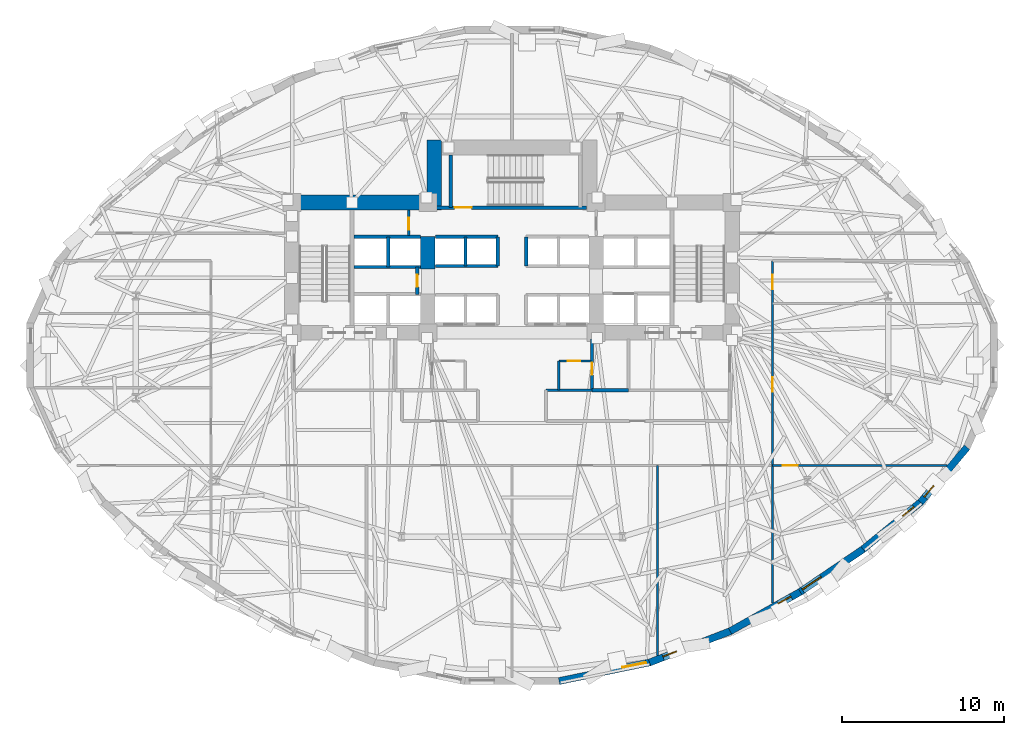
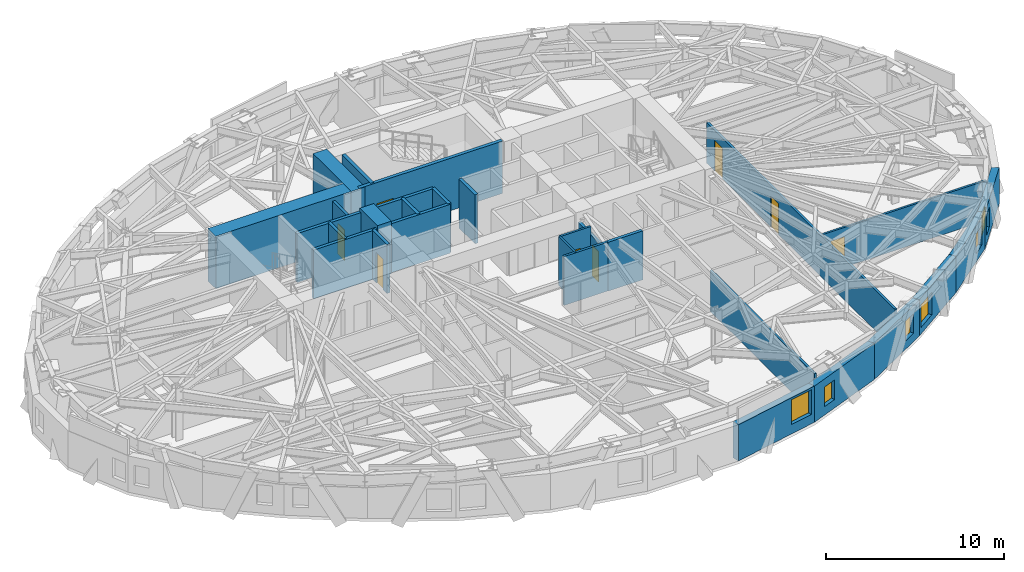
# One storey, part 8 of 14: 29 walls, 8 doors, 6 windows, 14 openings.
"""IFC4 building model written with IfcOpenShell, lengths in metres."""

from ifc_helpers import new_model, si_unit, direction, frame, frame_2d, origin, place, context, subcontext, project, spatial, rectangle, extrude, material, layer, layer_set, type_object, element, fill, save


model = new_model("IFC4")

# Units and contexts
model_context = context("Model", 3, precision=1e-05, world=origin(), true_north=direction((0.0, 1.0)))
body_context = subcontext(model_context, "Body", "Model", "MODEL_VIEW")
ifc_project = project(units=[si_unit("LENGTHUNIT", "METRE"), si_unit("AREAUNIT", "SQUARE_METRE"), si_unit("VOLUMEUNIT", "CUBIC_METRE"), si_unit("PLANEANGLEUNIT", "RADIAN"), si_unit("MASSUNIT", "GRAM", prefix="KILO")], contexts=[model_context])

# Site, building, storey
site_placement = place(None, origin())
site = spatial("IfcSite", under=ifc_project, at=site_placement, CompositionType="ELEMENT")
building_placement = place(site_placement, origin())
building = spatial("IfcBuilding", under=site, at=building_placement, Name="Keldmark Tower", CompositionType="ELEMENT")
storey_placement = place(building_placement, frame((0.0, 0.0, 73.800048828125)))
storey = spatial("IfcBuildingStorey", under=building, at=storey_placement, Name="L19", CompositionType="ELEMENT", Elevation=73.800048828125)

# Wall, openings, doors
ifc_material_1 = material(Name="Acoustic Double-Layer Gypsum Corridor Partition", Category="gypsum")
ifc_layer_1 = layer(ifc_material_1, 0.139892578125)
ifc_layer_set_1 = layer_set([ifc_layer_1], Name="Acoustic Double-Layer Gypsum Corridor Partition")
wall_type_1 = type_object("IfcWallType", Name="Acoustic Corridor Partition 140 mm", PredefinedType="PARTITIONING", material=ifc_layer_set_1)
wall_1_placement = place(storey_placement, frame((16.10009765625, -15.317626953125, 0.0), z_axis=(0.0, 0.0, 1.0), x_axis=(0.0, 1.0, 0.0)))
wall_1 = element("IfcWall", 1, at=wall_1_placement, inside=storey, type_object=wall_type_1, Name="L19 Acoustic Corridor Partition 140 mm COR-E", PredefinedType="PARTITIONING", context=body_context, shape_type="SweptSolid", body=[
    extrude(rectangle(XDim=21.167724609375, YDim=0.139892578125, at=frame_2d((10.583984375, 0.0))), origin(), (0.0, 0.0, 1.0), 2.801025390625),
])
opening_1_placement = place(wall_1_placement, frame((13.06787109375, 0.0, 0.0)))
opening_1 = element("IfcOpeningElement", 2, at=opening_1_placement, cuts=wall_1, Name="Opening D-IN090", PredefinedType="OPENING", context=body_context, shape_type="SweptSolid", body=[
    extrude(rectangle(XDim=0.89990234375, YDim=2.10009765625, at=frame_2d((0.449951171875, 1.050048828125))), frame((0.0, 0.079833984375, 0.0), z_axis=(0.0, -1.0, 0.0), x_axis=(1.0, 0.0, 0.0)), (0.0, 0.0, 1.0), 0.159912109375),
])
opening_2_placement = place(wall_1_placement, frame((19.392822265625, 0.0, 0.0)))
opening_2 = element("IfcOpeningElement", 3, at=opening_2_placement, cuts=wall_1, Name="Opening D-IN090", PredefinedType="OPENING", context=body_context, shape_type="SweptSolid", body=[
    extrude(rectangle(XDim=0.89990234375, YDim=2.10009765625, at=frame_2d((0.449951171875, 1.050048828125))), frame((0.0, 0.079833984375, 0.0), z_axis=(0.0, -1.0, 0.0), x_axis=(1.0, 0.0, 0.0)), (0.0, 0.0, 1.0), 0.159912109375),
])
ifc_material_2 = material(Name="Stained American White Oak Veneer", Category="wood")
door_type_1 = type_object("IfcDoorType", Name="Interior Door 900x2100", OperationType="NOTDEFINED", PredefinedType="DOOR", material=ifc_material_2)
door_1_placement = place(opening_1_placement, origin())
door_1 = element("IfcDoor", 4, at=door_1_placement, inside=storey, type_object=door_type_1, Name="L19 Interior Door 900x2100 D-ER-1-L19", OperationType="SINGLE_SWING_RIGHT", OverallHeight=2.10009765625, OverallWidth=0.89990234375, PredefinedType="DOOR", context=body_context, shape_type="SweptSolid", body=[
    extrude(rectangle(XDim=0.89990234375, YDim=2.10009765625, at=frame_2d((0.449951171875, 1.050048828125))), frame((0.0, 0.02490234375, 0.0), z_axis=(0.0, -1.0, 0.0), x_axis=(1.0, 0.0, 0.0)), (0.0, 0.0, 1.0), 0.050048828125),
])
fill(opening_1, door_1)
door_2_placement = place(opening_2_placement, origin())
door_2 = element("IfcDoor", 5, at=door_2_placement, inside=storey, type_object=door_type_1, Name="L19 Interior Door 900x2100 D-ER-2-L19", OperationType="SINGLE_SWING_RIGHT", OverallHeight=2.10009765625, OverallWidth=0.89990234375, PredefinedType="DOOR", context=body_context, shape_type="SweptSolid", body=[
    extrude(rectangle(XDim=0.89990234375, YDim=2.10009765625, at=frame_2d((0.449951171875, 1.050048828125))), frame((0.0, 0.02490234375, 0.0), z_axis=(0.0, -1.0, 0.0), x_axis=(1.0, 0.0, 0.0)), (0.0, 0.0, 1.0), 0.050048828125),
])
fill(opening_2, door_2)

# Wall, opening, door
ifc_material_3 = material(Name="Acoustic Gypsum Board Interior Partition", Category="gypsum")
ifc_layer_2 = layer(ifc_material_3, 0.1298828125)
ifc_layer_set_2 = layer_set([ifc_layer_2], Name="Acoustic Gypsum Board Interior Partition")
wall_type_2 = type_object("IfcWallType", Name="Interior Partition 130 mm", PredefinedType="PARTITIONING", material=ifc_layer_set_2)
wall_2_placement = place(storey_placement, frame((2.889892578125, -0.35009765625, 0.0), z_axis=(0.0, 0.0, 1.0), x_axis=(1.0, 0.0, 0.0)))
wall_2 = element("IfcWall", 6, at=wall_2_placement, inside=storey, type_object=wall_type_2, Name="L19 Interior Partition 130 mm CSC-E-N", PredefinedType="PARTITIONING", context=body_context, shape_type="SweptSolid", body=[
    extrude(rectangle(XDim=1.989990234375, YDim=0.1298828125, at=frame_2d((0.9951171875, 0.0))), origin(), (0.0, 0.0, 1.0), 3.35986328125),
])
opening_3_placement = place(wall_2_placement, frame((0.550048828125, 0.0, 0.0)))
opening_3 = element("IfcOpeningElement", 7, at=opening_3_placement, cuts=wall_2, Name="Opening D-CL078", PredefinedType="OPENING", context=body_context, shape_type="SweptSolid", body=[
    extrude(rectangle(XDim=0.780029296875, YDim=2.10009765625, at=frame_2d((0.39013671875, 1.050048828125))), frame((0.0, 0.074951171875, 0.0), z_axis=(0.0, -1.0, 0.0), x_axis=(1.0, 0.0, 0.0)), (0.0, 0.0, 1.0), 0.14990234375),
])
ifc_material_4 = material(Name="Flush Utility Closet Timber Door", Category="wood")
door_type_2 = type_object("IfcDoorType", Name="Closet Door 780x2100", OperationType="NOTDEFINED", PredefinedType="DOOR", material=ifc_material_4)
door_3_placement = place(opening_3_placement, origin())
door_3 = element("IfcDoor", 8, at=door_3_placement, inside=storey, type_object=door_type_2, Name="L19 Closet Door 780x2100 D-CSCE1-L19", OperationType="SINGLE_SWING_RIGHT", OverallHeight=2.10009765625, OverallWidth=0.780029296875, PredefinedType="DOOR", context=body_context, shape_type="SweptSolid", body=[
    extrude(rectangle(XDim=0.780029296875, YDim=2.10009765625, at=frame_2d((0.39013671875, 1.050048828125))), frame((0.0, 0.02490234375, 0.0), z_axis=(0.0, -1.0, 0.0), x_axis=(1.0, 0.0, 0.0)), (0.0, 0.0, 1.0), 0.050048828125),
])
fill(opening_3, door_3)

# Walls
wall_3_placement = place(storey_placement, frame((2.889892578125, -2.14990234375, 0.0), z_axis=(0.0, 0.0, 1.0), x_axis=(0.0, 1.0, 0.0)))
element("IfcWall", 9, at=wall_3_placement, inside=storey, type_object=wall_type_2, Name="L19 Interior Partition 130 mm CSC-E-W", PredefinedType="PARTITIONING", context=body_context, shape_type="SweptSolid", body=[
    extrude(rectangle(XDim=1.7998046875, YDim=0.1298828125, at=frame_2d((0.89990234375, 0.0))), origin(), (0.0, 0.0, 1.0), 3.35986328125),
])
wall_4_placement = place(storey_placement, frame((9.0, -18.544921875, 0.0), z_axis=(0.0, 0.0, 1.0), x_axis=(0.0, 1.0, 0.0)))
element("IfcWall", 10, at=wall_4_placement, inside=storey, type_object=wall_type_2, Name="L19 Interior Partition 130 mm S-DIV-3", PredefinedType="PARTITIONING", context=body_context, shape_type="SweptSolid", body=[
    extrude(rectangle(XDim=11.744873046875, YDim=0.1298828125, at=frame_2d((5.87255859375, 0.0))), origin(), (0.0, 0.0, 1.0), 2.81298828125),
])

# Wall, opening, door
wall_5_placement = place(storey_placement, frame((16.10009765625, -6.800048828125, 0.0), z_axis=(0.0, 0.0, 1.0), x_axis=(1.0, 0.0, 0.0)))
wall_5 = element("IfcWall", 11, at=wall_5_placement, inside=storey, type_object=wall_type_2, Name="L19 Interior Partition 130 mm E-CAP-S", PredefinedType="PARTITIONING", context=body_context, shape_type="SweptSolid", body=[
    extrude(rectangle(XDim=10.781494140625, YDim=0.1298828125, at=frame_2d((5.390625, 0.0))), origin(), (0.0, 0.0, 1.0), 2.739013671875),
])
opening_4_placement = place(wall_5_placement, frame((0.64990234375, 0.0, 0.0)))
opening_4 = element("IfcOpeningElement", 12, at=opening_4_placement, cuts=wall_5, Name="Opening D-IN090", PredefinedType="OPENING", context=body_context, shape_type="SweptSolid", body=[
    extrude(rectangle(XDim=0.89990234375, YDim=2.10009765625, at=frame_2d((0.449951171875, 1.050048828125))), frame((0.0, 0.074951171875, 0.0), z_axis=(0.0, -1.0, 0.0), x_axis=(1.0, 0.0, 0.0)), (0.0, 0.0, 1.0), 0.14990234375),
])
door_4_placement = place(opening_4_placement, origin())
door_4 = element("IfcDoor", 13, at=door_4_placement, inside=storey, type_object=door_type_1, Name="L19 Interior Door 900x2100 D-ERSE-L19", OperationType="SINGLE_SWING_LEFT", OverallHeight=2.10009765625, OverallWidth=0.89990234375, PredefinedType="DOOR", context=body_context, shape_type="SweptSolid", body=[
    extrude(rectangle(XDim=0.89990234375, YDim=2.10009765625, at=frame_2d((0.449951171875, 1.050048828125))), frame((0.0, 0.02490234375, 0.0), z_axis=(0.0, -1.0, 0.0), x_axis=(1.0, 0.0, 0.0)), (0.0, 0.0, 1.0), 0.050048828125),
])
fill(opening_4, door_4)

# Walls
ifc_material_5 = material(Name="Concrete C70/85", Category="concrete")
ifc_layer_3 = layer(ifc_material_5, 0.89990234375)
ifc_layer_set_3 = layer_set([ifc_layer_3], Name="Concrete C70/85")
wall_type_3 = type_object("IfcWallType", Name="Lower Core Shear Wall 900 mm", PredefinedType="SHEAR", material=ifc_layer_set_3)
wall_6_placement = place(storey_placement, frame((-14.050048828125, 9.449951171875, 0.0), z_axis=(0.0, 0.0, 1.0), x_axis=(1.0, 0.0, 0.0)))
element("IfcWall", 14, at=wall_6_placement, inside=storey, type_object=wall_type_3, Name="L19 West Core North Shear Wall", PredefinedType="SHEAR", context=body_context, shape_type="SweptSolid", body=[
    extrude(rectangle(XDim=9.699951171875, YDim=0.89990234375, at=frame_2d((4.85009765625, 0.0))), origin(), (0.0, 0.0, 1.0), 3.599853515625),
])
wall_7_placement = place(storey_placement, frame((-5.199951171875, 5.35009765625, 0.0), z_axis=(0.0, 0.0, 1.0), x_axis=(0.0, 1.0, 0.0)))
element("IfcWall", 15, at=wall_7_placement, inside=storey, type_object=wall_type_3, Name="L19 West Core Inner Shear Pier North", PredefinedType="SHEAR", context=body_context, shape_type="SweptSolid", body=[
    extrude(rectangle(XDim=2.0, YDim=0.89990234375, at=frame_2d((1.0, 0.0))), origin(), (0.0, 0.0, 1.0), 3.599853515625),
])
wall_8_placement = place(storey_placement, frame((-4.800048828125, 9.0, 0.0), z_axis=(0.0, 0.0, 1.0), x_axis=(0.0, 1.0, 0.0)))
element("IfcWall", 16, at=wall_8_placement, inside=storey, type_object=wall_type_3, Name="L19 North Core West Shear Wall", PredefinedType="SHEAR", context=body_context, shape_type="SweptSolid", body=[
    extrude(rectangle(XDim=4.300048828125, YDim=0.89990234375, at=frame_2d((2.14990234375, 0.0))), origin(), (0.0, 0.0, 1.0), 3.599853515625),
])

# Wall, opening, door
ifc_material_6 = material(Name="Type X Fire-Rated Gypsum Partition Assembly", Category="gypsum")
ifc_layer_4 = layer(ifc_material_6, 0.1650390625)
ifc_layer_set_4 = layer_set([ifc_layer_4], Name="Type X Fire-Rated Gypsum Partition Assembly")
wall_type_4 = type_object("IfcWallType", Name="Rated Partition 165 mm", PredefinedType="PARTITIONING", material=ifc_layer_set_4)
wall_9_placement = place(storey_placement, frame((-6.3798828125, 7.419921875, 0.0), z_axis=(0.0, 0.0, 1.0), x_axis=(0.0, 1.0, 0.0)))
wall_9 = element("IfcWall", 17, at=wall_9_placement, inside=storey, type_object=wall_type_4, Name="L19 Rated Partition 165 mm CS-NW-E", PredefinedType="PARTITIONING", context=body_context, shape_type="SweptSolid", body=[
    extrude(rectangle(XDim=1.580078125, YDim=0.1650390625, at=frame_2d((0.7900390625, 0.0))), origin(), (0.0, 0.0, 1.0), 3.35986328125),
])
opening_5_placement = place(wall_9_placement, frame((0.35009765625, 0.0, 0.0)))
opening_5 = element("IfcOpeningElement", 18, at=opening_5_placement, cuts=wall_9, Name="Opening D-RS075", PredefinedType="OPENING", context=body_context, shape_type="SweptSolid", body=[
    extrude(rectangle(XDim=0.75, YDim=2.10009765625, at=frame_2d((0.375, 1.050048828125))), frame((0.0, 0.092529296875, 0.0), z_axis=(0.0, -1.0, 0.0), x_axis=(1.0, 0.0, 0.0)), (0.0, 0.0, 1.0), 0.18505859375),
])
ifc_material_7 = material(Name="Galvanized Fire-Rated Access Leaf", Category="metal")
door_type_3 = type_object("IfcDoorType", Name="Riser Access Door 750x2100", OperationType="NOTDEFINED", PredefinedType="DOOR", material=ifc_material_7)
door_5_placement = place(opening_5_placement, origin())
door_5 = element("IfcDoor", 19, at=door_5_placement, inside=storey, type_object=door_type_3, Name="L19 Riser Access Door 750x2100 D-CSNW1-L19", OperationType="SINGLE_SWING_RIGHT", OverallHeight=2.10009765625, OverallWidth=0.75, PredefinedType="DOOR", context=body_context, shape_type="SweptSolid", body=[
    extrude(rectangle(XDim=0.75, YDim=2.10009765625, at=frame_2d((0.375, 1.050048828125))), frame((0.0, 0.02490234375, 0.0), z_axis=(0.0, -1.0, 0.0), x_axis=(1.0, 0.0, 0.0)), (0.0, 0.0, 1.0), 0.050048828125),
])
fill(opening_5, door_5)

# Wall
ifc_material_8 = material(Name="Fire-Resistant Type X Gypsum Shaftliner Coreboard", Category="gypsum")
ifc_layer_5 = layer(ifc_material_8, 0.199951171875)
ifc_layer_set_5 = layer_set([ifc_layer_5], Name="Fire-Resistant Type X Gypsum Shaftliner Coreboard")
wall_type_5 = type_object("IfcWallType", Name="Shaft Wall 200 mm", PredefinedType="SOLIDWALL", material=ifc_layer_set_5)
wall_10_placement = place(storey_placement, frame((4.949951171875, -2.14990234375, 0.0), z_axis=(0.0, 0.0, 1.0), x_axis=(1.0, 0.0, 0.0)))
element("IfcWall", 20, at=wall_10_placement, inside=storey, type_object=wall_type_5, Name="L19 Shaft Wall 200 mm RIS-SE-S", PredefinedType="SOLIDWALL", context=body_context, shape_type="SweptSolid", body=[
    extrude(rectangle(XDim=2.25, YDim=0.199951171875, at=frame_2d((1.125, 0.0))), origin(), (0.0, 0.0, 1.0), 3.35986328125),
])

# Wall, opening, door
wall_11_placement = place(storey_placement, frame((4.949951171875, -2.14990234375, 0.0), z_axis=(0.0, 0.0, 1.0), x_axis=(0.0, 1.0, 0.0)))
wall_11 = element("IfcWall", 21, at=wall_11_placement, inside=storey, type_object=wall_type_5, Name="L19 Shaft Wall 200 mm RIS-SE-W", PredefinedType="SOLIDWALL", context=body_context, shape_type="SweptSolid", body=[
    extrude(rectangle(XDim=3.14990234375, YDim=0.199951171875, at=frame_2d((1.574951171875, 0.0))), origin(), (0.0, 0.0, 1.0), 2.81298828125),
])
opening_6_placement = place(wall_11_placement, frame((0.949951171875, 0.0, 0.0)))
opening_6 = element("IfcOpeningElement", 22, at=opening_6_placement, cuts=wall_11, Name="Opening D-RS075", PredefinedType="OPENING", context=body_context, shape_type="SweptSolid", body=[
    extrude(rectangle(XDim=0.75, YDim=2.10009765625, at=frame_2d((0.375, 1.050048828125))), frame((0.0, 0.10986328125, 0.0), z_axis=(0.0, -1.0, 0.0), x_axis=(1.0, 0.0, 0.0)), (0.0, 0.0, 1.0), 0.219970703125),
])
door_6_placement = place(opening_6_placement, origin())
door_6 = element("IfcDoor", 23, at=door_6_placement, inside=storey, type_object=door_type_3, Name="L19 Riser Access Door 750x2100 D-RISSE-L19", OperationType="SINGLE_SWING_LEFT", OverallHeight=2.10009765625, OverallWidth=0.75, PredefinedType="DOOR", context=body_context, shape_type="SweptSolid", body=[
    extrude(rectangle(XDim=0.75, YDim=2.10009765625, at=frame_2d((0.375, 1.050048828125))), frame((0.0, 0.02490234375, 0.0), z_axis=(0.0, -1.0, 0.0), x_axis=(1.0, 0.0, 0.0)), (0.0, 0.0, 1.0), 0.050048828125),
])
fill(opening_6, door_6)

# Walls
for number, where, z_axis, x_axis, name in (
    (24, (-9.780029296875, 5.469970703125, 0.0), (0.0, 0.0, 1.0), (1.0, 0.0, 0.0), "L19 Shaft Wall 200 mm HW-W-N"),
    (25, (-9.780029296875, 7.330078125, 0.0), (0.0, 0.0, 1.0), (1.0, 0.0, 0.0), "L19 Shaft Wall 200 mm HW-W-TOP"),
):
    element("IfcWall", number, at=place(storey_placement, frame(where, z_axis=z_axis, x_axis=x_axis)), inside=storey, type_object=wall_type_5, Name=name, PredefinedType="SOLIDWALL", context=body_context, shape_type="SweptSolid", body=[
        extrude(rectangle(XDim=4.130126953125, YDim=0.199951171875, at=frame_2d((2.06494140625, 0.0))), origin(), (0.0, 0.0, 1.0), 3.35986328125),
    ])
wall_12_placement = place(storey_placement, frame((-7.64990234375, 5.469970703125, 0.0), z_axis=(0.0, 0.0, 1.0), x_axis=(0.0, 1.0, 0.0)))
element("IfcWall", 26, at=wall_12_placement, inside=storey, type_object=wall_type_5, Name="L19 Shaft Wall 200 mm HW-W-NM", PredefinedType="SOLIDWALL", context=body_context, shape_type="SweptSolid", body=[
    extrude(rectangle(XDim=1.860107421875, YDim=0.199951171875, at=frame_2d((0.93017578125, 0.0))), origin(), (0.0, 0.0, 1.0), 3.35986328125),
])

# Wall, opening, door
wall_13_placement = place(storey_placement, frame((-5.85009765625, 3.780029296875, 0.0), z_axis=(0.0, 0.0, 1.0), x_axis=(0.0, 1.0, 0.0)))
wall_13 = element("IfcWall", 27, at=wall_13_placement, inside=storey, type_object=wall_type_5, Name="L19 Shaft Wall 200 mm HW-W-CLOSE", PredefinedType="SOLIDWALL", context=body_context, shape_type="SweptSolid", body=[
    extrude(rectangle(XDim=1.68994140625, YDim=0.199951171875, at=frame_2d((0.844970703125, 0.0))), origin(), (0.0, 0.0, 1.0), 3.35986328125),
])
opening_7_placement = place(wall_13_placement, frame((0.449951171875, 0.0, 0.0)))
opening_7 = element("IfcOpeningElement", 28, at=opening_7_placement, cuts=wall_13, Name="Opening D-RS075", PredefinedType="OPENING", context=body_context, shape_type="SweptSolid", body=[
    extrude(rectangle(XDim=0.75, YDim=2.10009765625, at=frame_2d((0.375, 1.050048828125))), frame((0.0, 0.10986328125, 0.0), z_axis=(0.0, -1.0, 0.0), x_axis=(1.0, 0.0, 0.0)), (0.0, 0.0, 1.0), 0.219970703125),
])
door_7_placement = place(opening_7_placement, origin())
door_7 = element("IfcDoor", 29, at=door_7_placement, inside=storey, type_object=door_type_3, Name="L19 Riser Access Door 750x2100 D-RISHW-L19", OperationType="SINGLE_SWING_RIGHT", OverallHeight=2.10009765625, OverallWidth=0.75, PredefinedType="DOOR", context=body_context, shape_type="SweptSolid", body=[
    extrude(rectangle(XDim=0.75, YDim=2.10009765625, at=frame_2d((0.375, 1.050048828125))), frame((0.0, 0.02490234375, 0.0), z_axis=(0.0, -1.0, 0.0), x_axis=(1.0, 0.0, 0.0)), (0.0, 0.0, 1.0), 0.050048828125),
])
fill(opening_7, door_7)

# Walls
for number, where, z_axis, x_axis, name in (
    (30, (-4.739990234375, 5.52001953125, 0.0), (0.0, 0.0, 1.0), (1.0, 0.0, 0.0), "L19 Shaft Wall 200 mm MID-S-W"),
    (31, (-4.739990234375, 7.330078125, 0.0), (0.0, 0.0, 1.0), (1.0, 0.0, 0.0), "L19 Shaft Wall 200 mm MID-N-W"),
):
    element("IfcWall", number, at=place(storey_placement, frame(where, z_axis=z_axis, x_axis=x_axis)), inside=storey, type_object=wall_type_5, Name=name, PredefinedType="SOLIDWALL", context=body_context, shape_type="SweptSolid", body=[
        extrude(rectangle(XDim=3.860107421875, YDim=0.199951171875, at=frame_2d((1.93017578125, 0.0))), origin(), (0.0, 0.0, 1.0), 3.35986328125),
    ])
for number, where, z_axis, x_axis, name in (
    (32, (-2.8798828125, 5.52001953125, 0.0), (0.0, 0.0, 1.0), (0.0, 1.0, 0.0), "L19 Shaft Wall 200 mm MID-M-W"),
    (33, (-0.8798828125, 5.52001953125, 0.0), (0.0, 0.0, 1.0), (0.0, 1.0, 0.0), "L19 Shaft Wall 200 mm MID-C-W"),
    (34, (0.8798828125, 5.52001953125, 0.0), (0.0, 0.0, 1.0), (0.0, 1.0, 0.0), "L19 Shaft Wall 200 mm MID-C-E"),
):
    element("IfcWall", number, at=place(storey_placement, frame(where, z_axis=z_axis, x_axis=x_axis)), inside=storey, type_object=wall_type_5, Name=name, PredefinedType="SOLIDWALL", context=body_context, shape_type="SweptSolid", body=[
        extrude(rectangle(XDim=1.81005859375, YDim=0.199951171875, at=frame_2d((0.905029296875, 0.0))), origin(), (0.0, 0.0, 1.0), 3.35986328125),
    ])

# Wall, opening, door
ifc_material_9 = material(Name="Concrete C50/60", Category="concrete")
ifc_layer_6 = layer(ifc_material_9, 0.219970703125)
ifc_layer_set_6 = layer_set([ifc_layer_6], Name="Concrete C50/60")
wall_type_6 = type_object("IfcWallType", Name="Stair Core Shear Wall 220 mm", PredefinedType="SHEAR", material=ifc_layer_set_6)
wall_14_placement = place(storey_placement, frame((-4.699951171875, 9.139892578125, 0.0), z_axis=(0.0, 0.0, 1.0), x_axis=(1.0, 0.0, 0.0)))
wall_14 = element("IfcWall", 35, at=wall_14_placement, inside=storey, type_object=wall_type_6, Name="L19 Central Stair Core South Shear Wall", PredefinedType="SHEAR", context=body_context, shape_type="SweptSolid", body=[
    extrude(rectangle(XDim=9.300048828125, YDim=0.219970703125, at=frame_2d((4.64990234375, 0.0))), origin(), (0.0, 0.0, 1.0), 3.599853515625),
])
opening_8_placement = place(wall_14_placement, frame((1.14990234375, 0.0, 0.0)))
opening_8 = element("IfcOpeningElement", 36, at=opening_8_placement, cuts=wall_14, Name="Opening D-ST105", PredefinedType="OPENING", context=body_context, shape_type="SweptSolid", body=[
    extrude(rectangle(XDim=1.050048828125, YDim=2.14990234375, at=frame_2d((0.52490234375, 1.074951171875))), frame((0.0, 0.119873046875, 0.0), z_axis=(0.0, -1.0, 0.0), x_axis=(1.0, 0.0, 0.0)), (0.0, 0.0, 1.0), 0.239990234375),
])
ifc_material_10 = material(Name="Hollow Metal Fire-Rated Door Assembly", Category="metal")
door_type_4 = type_object("IfcDoorType", Name="Stair Fire Door 1050x2150", OperationType="NOTDEFINED", PredefinedType="DOOR", material=ifc_material_10)
door_8_placement = place(opening_8_placement, origin())
door_8 = element("IfcDoor", 37, at=door_8_placement, inside=storey, type_object=door_type_4, Name="L19 Stair Fire Door 1050x2150 D-ST3-L19", OperationType="SINGLE_SWING_RIGHT", OverallHeight=2.14990234375, OverallWidth=1.050048828125, PredefinedType="DOOR", context=body_context, shape_type="SweptSolid", body=[
    extrude(rectangle(XDim=1.050048828125, YDim=2.14990234375, at=frame_2d((0.52490234375, 1.074951171875))), frame((0.0, 0.02490234375, 0.0), z_axis=(0.0, -1.0, 0.0), x_axis=(1.0, 0.0, 0.0)), (0.0, 0.0, 1.0), 0.050048828125),
])
fill(opening_8, door_8)

# Wall
wall_15_placement = place(storey_placement, frame((-3.784912109375, 9.139892578125, 0.0), z_axis=(0.0, 0.0, 1.0), x_axis=(0.0, 1.0, 0.0)))
element("IfcWall", 38, at=wall_15_placement, inside=storey, type_object=wall_type_6, Name="L19 Central Stair Core West Shear Wall", PredefinedType="SHEAR", context=body_context, shape_type="SweptSolid", body=[
    extrude(rectangle(XDim=3.260009765625, YDim=0.219970703125, at=frame_2d((1.6298828125, 0.0))), origin(), (0.0, 0.0, 1.0), 3.599853515625),
])

# Wall, opening, window
ifc_material_11 = material(Name="Ironspot Manganese Brick and Kasota Buff Limestone Spandrel Assembly", Category="masonry")
ifc_layer_7 = layer(ifc_material_11, 0.43994140625)
ifc_layer_set_7 = layer_set([ifc_layer_7], Name="Ironspot Manganese Brick and Kasota Buff Limestone Spandrel Assembly")
wall_type_7 = type_object("IfcWallType", Name="Tower Brick Pier and Spandrel Wall 440 mm", PredefinedType="STANDARD", material=ifc_layer_set_7)
wall_16_placement = place(storey_placement, frame((8.539306640625, -18.971923828125, 0.0), z_axis=(0.0, 0.0, 1.0), x_axis=(-0.979485663347, -0.201513858821, 0.0)))
wall_16 = element("IfcWall", 39, at=wall_16_placement, inside=storey, type_object=wall_type_7, Name="L19 Exterior Brick and Spandrel Wall 25", PredefinedType="STANDARD", context=body_context, shape_type="SweptSolid", body=[
    extrude(rectangle(XDim=5.746337890625, YDim=0.43994140625, at=frame_2d((2.873046875, 0.0))), origin(), (0.0, 0.0, 1.0), 2.489013671875),
])
opening_9_placement = place(wall_16_placement, frame((0.25, 0.0, 0.64990234375)))
opening_9 = element("IfcOpeningElement", 40, at=opening_9_placement, cuts=wall_16, Name="Opening W-03", PredefinedType="OPENING", context=body_context, shape_type="SweptSolid", body=[
    extrude(rectangle(XDim=1.5, YDim=1.699951171875, at=frame_2d((0.75, 0.85009765625))), frame((0.0, 0.22998046875, 0.0), z_axis=(0.0, -1.0, 0.0), x_axis=(1.0, 0.0, 0.0)), (0.0, 0.0, 1.0), 0.4599609375),
])
ifc_material_12 = material(Name="Thermally Broken Anodized Aluminum and Triple Low-E Argon Glazing", Category="aluminium")
window_type_1 = type_object("IfcWindowType", Name="Office Corner Deep-Set Window 1500x1700", PartitioningType="DOUBLE_PANEL_VERTICAL", PredefinedType="WINDOW", material=ifc_material_12)
window_1_placement = place(opening_9_placement, origin())
window_1 = element("IfcWindow", 41, at=window_1_placement, inside=storey, type_object=window_type_1, Name="L19 Deep-Set Window 25", OverallHeight=1.699951171875, OverallWidth=1.5, PartitioningType="SINGLE_PANEL", PredefinedType="WINDOW", context=body_context, shape_type="SweptSolid", body=[
    extrude(rectangle(XDim=1.5, YDim=1.699951171875, at=frame_2d((0.75, 0.85009765625))), frame((0.0, -0.010009765625, 0.0), z_axis=(0.0, -1.0, 0.0), x_axis=(1.0, 0.0, 0.0)), (0.0, 0.0, 1.0), 0.06005859375),
])
fill(opening_9, window_1)

wall_17_placement = place(storey_placement, frame((13.5107421875, -17.035888671875, 0.0), z_axis=(0.0, 0.0, 1.0), x_axis=(-0.932040489001, -0.362354145641, 0.0)))
wall_17 = element("IfcWall", 42, at=wall_17_placement, inside=storey, type_object=wall_type_7, Name="L19 Exterior Brick and Spandrel Wall 26", PredefinedType="STANDARD", context=body_context, shape_type="SweptSolid", body=[
    extrude(rectangle(XDim=5.371826171875, YDim=0.43994140625, at=frame_2d((2.68603515625, 0.0))), origin(), (0.0, 0.0, 1.0), 2.489013671875),
])
opening_10_placement = place(wall_17_placement, frame((3.57666015625, 0.0, 0.580078125)))
opening_10 = element("IfcOpeningElement", 43, at=opening_10_placement, cuts=wall_17, Name="Opening W-09", PredefinedType="OPENING", context=body_context, shape_type="SweptSolid", body=[
    extrude(rectangle(XDim=0.89990234375, YDim=1.35009765625, at=frame_2d((0.449951171875, 0.675048828125))), frame((0.0, 0.22998046875, 0.0), z_axis=(0.0, -1.0, 0.0), x_axis=(1.0, 0.0, 0.0)), (0.0, 0.0, 1.0), 0.4599609375),
])
ifc_material_13 = material(Name="Thermally Broken Anodized Aluminum and Triple Low-E Argon Glazing", Category="aluminium")
window_type_2 = type_object("IfcWindowType", Name="Corner Pier Deep-Set Window 900x1350", PartitioningType="SINGLE_PANEL", PredefinedType="WINDOW", material=ifc_material_13)
window_2_placement = place(opening_10_placement, origin())
window_2 = element("IfcWindow", 44, at=window_2_placement, inside=storey, type_object=window_type_2, Name="L19 Deep-Set Window 26", OverallHeight=1.35009765625, OverallWidth=0.89990234375, PartitioningType="SINGLE_PANEL", PredefinedType="WINDOW", context=body_context, shape_type="SweptSolid", body=[
    extrude(rectangle(XDim=0.89990234375, YDim=1.35009765625, at=frame_2d((0.449951171875, 0.675048828125))), frame((0.0, -0.010009765625, 0.0), z_axis=(0.0, -1.0, 0.0), x_axis=(1.0, 0.0, 0.0)), (0.0, 0.0, 1.0), 0.06005859375),
])
fill(opening_10, window_2)

wall_18_placement = place(storey_placement, frame((17.814208984375, -14.6162109375, 0.0), z_axis=(0.0, 0.0, 1.0), x_axis=(-0.871887714573, -0.489705843519, 0.0)))
wall_18 = element("IfcWall", 45, at=wall_18_placement, inside=storey, type_object=wall_type_7, Name="L19 Exterior Brick and Spandrel Wall 27", PredefinedType="STANDARD", context=body_context, shape_type="SweptSolid", body=[
    extrude(rectangle(XDim=4.968017578125, YDim=0.43994140625, at=frame_2d((2.48388671875, 0.0))), origin(), (0.0, 0.0, 1.0), 2.489013671875),
])
opening_11_placement = place(wall_18_placement, frame((0.64599609375, 0.0, 0.580078125)))
opening_11 = element("IfcOpeningElement", 46, at=opening_11_placement, cuts=wall_18, Name="Opening W-09", PredefinedType="OPENING", context=body_context, shape_type="SweptSolid", body=[
    extrude(rectangle(XDim=0.89990234375, YDim=1.35009765625, at=frame_2d((0.449951171875, 0.675048828125))), frame((0.0, 0.22998046875, 0.0), z_axis=(0.0, -1.0, 0.0), x_axis=(1.0, 0.0, 0.0)), (0.0, 0.0, 1.0), 0.4599609375),
])
window_3_placement = place(opening_11_placement, origin())
window_3 = element("IfcWindow", 47, at=window_3_placement, inside=storey, type_object=window_type_2, Name="L19 Deep-Set Window 27", OverallHeight=1.35009765625, OverallWidth=0.89990234375, PartitioningType="SINGLE_PANEL", PredefinedType="WINDOW", context=body_context, shape_type="SweptSolid", body=[
    extrude(rectangle(XDim=0.89990234375, YDim=1.35009765625, at=frame_2d((0.449951171875, 0.675048828125))), frame((0.0, -0.010009765625, 0.0), z_axis=(0.0, -1.0, 0.0), x_axis=(1.0, 0.0, 0.0)), (0.0, 0.0, 1.0), 0.06005859375),
])
fill(opening_11, window_3)

wall_19_placement = place(storey_placement, frame((21.714599609375, -11.970458984375, 0.0), z_axis=(0.0, 0.0, 1.0), x_axis=(-0.827650405372, -0.561243981249, 0.0)))
wall_19 = element("IfcWall", 48, at=wall_19_placement, inside=storey, type_object=wall_type_7, Name="L19 Exterior Brick and Spandrel Wall 28", PredefinedType="STANDARD", context=body_context, shape_type="SweptSolid", body=[
    extrude(rectangle(XDim=4.7314453125, YDim=0.43994140625, at=frame_2d((2.36572265625, 0.0))), origin(), (0.0, 0.0, 1.0), 2.492919921875),
])
opening_12_placement = place(wall_19_placement, frame((3.131591796875, 0.0, 0.449951171875)))
opening_12 = element("IfcOpeningElement", 49, at=opening_12_placement, cuts=wall_19, Name="Opening W-08", PredefinedType="OPENING", context=body_context, shape_type="SweptSolid", body=[
    extrude(rectangle(XDim=1.39990234375, YDim=1.550048828125, at=frame_2d((0.699951171875, 0.77490234375))), frame((0.0, 0.22998046875, 0.0), z_axis=(0.0, -1.0, 0.0), x_axis=(1.0, 0.0, 0.0)), (0.0, 0.0, 1.0), 0.4599609375),
])
ifc_material_14 = material(Name="Thermally Broken Anodized Aluminum and Triple Low-E Argon Glazing", Category="aluminium")
window_type_3 = type_object("IfcWindowType", Name="Residential Corner Punched Window 1400x1550", PartitioningType="SINGLE_PANEL", PredefinedType="WINDOW", material=ifc_material_14)
window_4_placement = place(opening_12_placement, origin())
window_4 = element("IfcWindow", 50, at=window_4_placement, inside=storey, type_object=window_type_3, Name="L19 Deep-Set Window 28", OverallHeight=1.550048828125, OverallWidth=1.39990234375, PartitioningType="SINGLE_PANEL", PredefinedType="WINDOW", context=body_context, shape_type="SweptSolid", body=[
    extrude(rectangle(XDim=1.39990234375, YDim=1.550048828125, at=frame_2d((0.699951171875, 0.77490234375))), frame((0.0, -0.010009765625, 0.0), z_axis=(0.0, -1.0, 0.0), x_axis=(1.0, 0.0, 0.0)), (0.0, 0.0, 1.0), 0.06005859375),
])
fill(opening_12, window_4)

wall_20_placement = place(storey_placement, frame((25.28662109375, -9.045166015625, 0.0), z_axis=(0.0, 0.0, 1.0), x_axis=(-0.7737766342, -0.63345853879, 0.0)))
wall_20 = element("IfcWall", 51, at=wall_20_placement, inside=storey, type_object=wall_type_7, Name="L19 Exterior Brick and Spandrel Wall 29", PredefinedType="STANDARD", context=body_context, shape_type="SweptSolid", body=[
    extrude(rectangle(XDim=4.636962890625, YDim=0.43994140625, at=frame_2d((2.318359375, 0.0))), origin(), (0.0, 0.0, 1.0), 2.489013671875),
])
opening_13_placement = place(wall_20_placement, frame((0.548583984375, 0.0, 0.580078125)))
opening_13 = element("IfcOpeningElement", 52, at=opening_13_placement, cuts=wall_20, Name="Opening W-09", PredefinedType="OPENING", context=body_context, shape_type="SweptSolid", body=[
    extrude(rectangle(XDim=0.89990234375, YDim=1.35009765625, at=frame_2d((0.449951171875, 0.675048828125))), frame((0.0, 0.22998046875, 0.0), z_axis=(0.0, -1.0, 0.0), x_axis=(1.0, 0.0, 0.0)), (0.0, 0.0, 1.0), 0.4599609375),
])
window_5_placement = place(opening_13_placement, origin())
window_5 = element("IfcWindow", 53, at=window_5_placement, inside=storey, type_object=window_type_2, Name="L19 Deep-Set Window 29", OverallHeight=1.35009765625, OverallWidth=0.89990234375, PartitioningType="SINGLE_PANEL", PredefinedType="WINDOW", context=body_context, shape_type="SweptSolid", body=[
    extrude(rectangle(XDim=0.89990234375, YDim=1.35009765625, at=frame_2d((0.449951171875, 0.675048828125))), frame((0.0, -0.010009765625, 0.0), z_axis=(0.0, -1.0, 0.0), x_axis=(1.0, 0.0, 0.0)), (0.0, 0.0, 1.0), 0.06005859375),
])
fill(opening_13, window_5)

wall_21_placement = place(storey_placement, frame((28.128662109375, -5.678466796875, 0.0), z_axis=(0.0, 0.0, 1.0), x_axis=(-0.645698517297, -0.763592446767, 0.0)))
wall_21 = element("IfcWall", 54, at=wall_21_placement, inside=storey, type_object=wall_type_7, Name="L19 Exterior Brick and Spandrel Wall 30", PredefinedType="STANDARD", context=body_context, shape_type="SweptSolid", body=[
    extrude(rectangle(XDim=4.446044921875, YDim=0.43994140625, at=frame_2d((2.22314453125, 0.0))), origin(), (0.0, 0.0, 1.0), 2.489013671875),
])
opening_14_placement = place(wall_21_placement, frame((3.146240234375, 0.0, 0.580078125)))
opening_14 = element("IfcOpeningElement", 55, at=opening_14_placement, cuts=wall_21, Name="Opening W-09", PredefinedType="OPENING", context=body_context, shape_type="SweptSolid", body=[
    extrude(rectangle(XDim=0.89990234375, YDim=1.35009765625, at=frame_2d((0.449951171875, 0.675048828125))), frame((0.0, 0.22998046875, 0.0), z_axis=(0.0, -1.0, 0.0), x_axis=(1.0, 0.0, 0.0)), (0.0, 0.0, 1.0), 0.4599609375),
])
window_6_placement = place(opening_14_placement, origin())
window_6 = element("IfcWindow", 56, at=window_6_placement, inside=storey, type_object=window_type_2, Name="L19 Deep-Set Window 30", OverallHeight=1.35009765625, OverallWidth=0.89990234375, PartitioningType="SINGLE_PANEL", PredefinedType="WINDOW", context=body_context, shape_type="SweptSolid", body=[
    extrude(rectangle(XDim=0.89990234375, YDim=1.35009765625, at=frame_2d((0.449951171875, 0.675048828125))), frame((0.0, -0.010009765625, 0.0), z_axis=(0.0, -1.0, 0.0), x_axis=(1.0, 0.0, 0.0)), (0.0, 0.0, 1.0), 0.06005859375),
])
fill(opening_14, window_6)

# Wall
ifc_material_15 = material(Name="Moisture-Resistant Gypsum Plumbing Partition", Category="gypsum")
ifc_layer_8 = layer(ifc_material_15, 0.14990234375)
ifc_layer_set_8 = layer_set([ifc_layer_8], Name="Moisture-Resistant Gypsum Plumbing Partition")
wall_type_8 = type_object("IfcWallType", Name="Wet Wall 150 mm", PredefinedType="PLUMBINGWALL", material=ifc_layer_set_8)
wall_22_placement = place(storey_placement, frame((2.10009765625, -2.14990234375, 0.0), z_axis=(0.0, 0.0, 1.0), x_axis=(1.0, 0.0, 0.0)))
element("IfcWall", 57, at=wall_22_placement, inside=storey, type_object=wall_type_8, Name="L19 Wet Wall 150 mm SPK-E-N", PredefinedType="PLUMBINGWALL", context=body_context, shape_type="SweptSolid", body=[
    extrude(rectangle(XDim=2.849853515625, YDim=0.14990234375, at=frame_2d((1.4248046875, 0.0))), origin(), (0.0, 0.0, 1.0), 3.35986328125),
])

save(model, "model.ifc")
